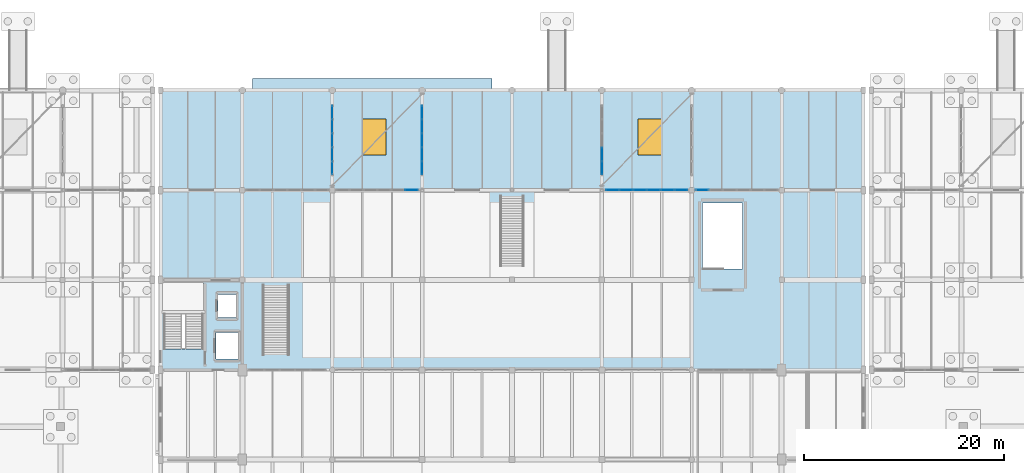
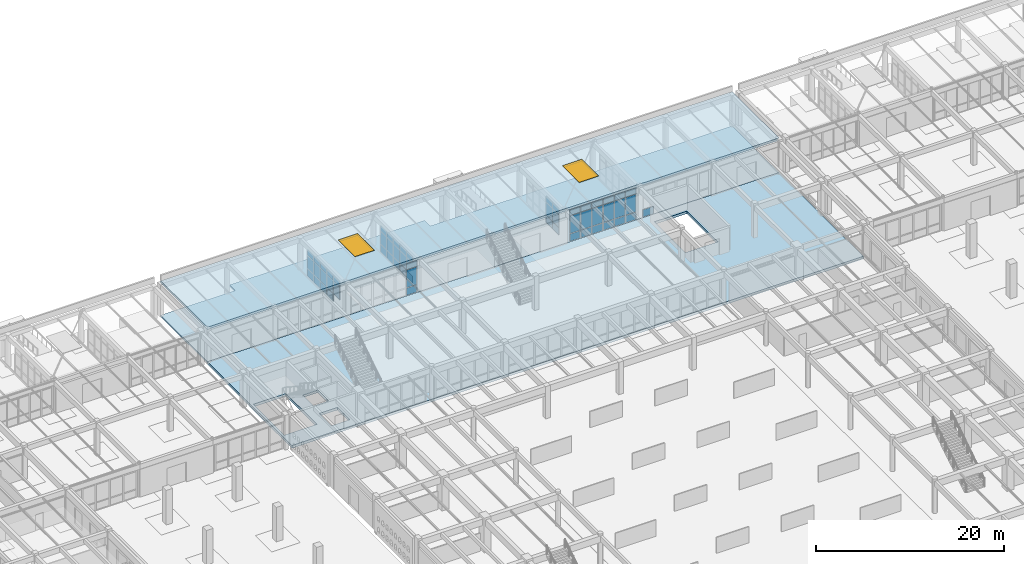
# One storey, part 149 of 186: 57 plates, 3 slabs, 2 windows, 2 openings, 6 elements without a shape of their own.
"""IFC4 building model written with IfcOpenShell, lengths in metres."""

from ifc_helpers import new_model, si_unit, direction, frame, origin, origin_2d, place, context, subcontext, project, spatial, polyline, rectangle, outline, extrude, material, layer, layer_set, type_object, element, fill, aggregate, save


model = new_model("IFC4")

# Units and contexts
model_context = context("Model", 3, precision=1e-05, world=origin(), true_north=direction((0.0, 1.0)))
body_context = subcontext(model_context, "Body", "Model", "MODEL_VIEW")
ifc_project = project(units=[si_unit("LENGTHUNIT", "METRE"), si_unit("AREAUNIT", "SQUARE_METRE"), si_unit("VOLUMEUNIT", "CUBIC_METRE"), si_unit("PLANEANGLEUNIT", "RADIAN"), si_unit("MASSUNIT", "GRAM", prefix="KILO")], contexts=[model_context])

# Site, building, storey
site_placement = place(None, origin())
site = spatial("IfcSite", under=ifc_project, at=site_placement, CompositionType="ELEMENT")
building_placement = place(site_placement, origin())
building = spatial("IfcBuilding", under=site, at=building_placement, Name="Ornek Quay Market", CompositionType="ELEMENT")
storey_placement = place(building_placement, origin())
storey = spatial("IfcBuildingStorey", under=building, at=storey_placement, Name="L00", CompositionType="ELEMENT", Elevation=0.0)

# Curtain wall, plates
ifc_material_1 = material(Name="Anodised bronze aluminium and triple low-e glass", Category="aluminium")
ifc_layer_1 = layer(ifc_material_1, 0.219970703125, Name="Anodised bronze aluminium and triple low-e glass", Category="aluminium")
ifc_layer_set_1 = layer_set([ifc_layer_1], Name="Anodised bronze aluminium and triple low-e glass")
curtain_wall_type = type_object("IfcCurtainWallType", Name="CW-PORCH-MOD1500", PredefinedType="USERDEFINED", material=ifc_layer_set_1)
curtain_wall_1_placement = place(storey_placement, origin())
curtain_wall_1 = element("IfcCurtainWall", 1, at=curtain_wall_1_placement, inside=storey, type_object=curtain_wall_type, Name="Curtain wall CW-151", ObjectType="CURTAIN WALL", PredefinedType="USERDEFINED")
ifc_material_2 = material(Name="Triple insulated low-e glass", Category="glass")
ifc_layer_2 = layer(ifc_material_2, 0.035888671875, Name="Triple insulated low-e glass", Category="glass")
ifc_layer_set_2 = layer_set([ifc_layer_2], Name="Triple insulated low-e glass")
plate_type_1 = type_object("IfcPlateType", Name="PL-CW-TRIPLE-36", PredefinedType="CURTAIN_PANEL", material=ifc_layer_set_2)
plate_1_placement = place(storey_placement, frame((72.0, 112.217529296875, 1.0849609375), z_axis=(0.0, 0.0, 1.0), x_axis=(0.0, 1.0, 0.0)))
plate_1 = element("IfcPlate", 2, at=plate_1_placement, type_object=plate_type_1, Name="CW-151 panel 1.2", PredefinedType="CURTAIN_PANEL", context=body_context, shape_type="SweptSolid", body=[
    extrude(rectangle(XDim=1.294921875, YDim=0.035888671875, at=origin_2d()), origin(), (0.0, 0.0, 1.0), 1.6298828125),
])
plate_2_placement = place(storey_placement, frame((72.0, 112.217529296875, 2.784912109375), z_axis=(0.0, 0.0, 1.0), x_axis=(0.0, 1.0, 0.0)))
plate_2 = element("IfcPlate", 3, at=plate_2_placement, type_object=plate_type_1, Name="CW-151 panel 1.3", PredefinedType="CURTAIN_PANEL", context=body_context, shape_type="SweptSolid", body=[
    extrude(rectangle(XDim=1.294921875, YDim=0.035888671875, at=origin_2d()), origin(), (0.0, 0.0, 1.0), 0.7451171875),
])
plate_3_placement = place(storey_placement, frame((72.0, 113.60009765625, 0.06982421875), z_axis=(0.0, 0.0, 1.0), x_axis=(0.0, 1.0, 0.0)))
plate_3 = element("IfcPlate", 4, at=plate_3_placement, type_object=plate_type_1, Name="CW-151 panel 2.1", PredefinedType="CURTAIN_PANEL", context=body_context, shape_type="SweptSolid", body=[
    extrude(rectangle(XDim=1.330078125, YDim=0.035888671875, at=origin_2d()), origin(), (0.0, 0.0, 1.0), 0.945068359375),
])
plate_4_placement = place(storey_placement, frame((72.0, 113.60009765625, 1.0849609375), z_axis=(0.0, 0.0, 1.0), x_axis=(0.0, 1.0, 0.0)))
plate_4 = element("IfcPlate", 5, at=plate_4_placement, type_object=plate_type_1, Name="CW-151 panel 2.2", PredefinedType="CURTAIN_PANEL", context=body_context, shape_type="SweptSolid", body=[
    extrude(rectangle(XDim=1.330078125, YDim=0.035888671875, at=origin_2d()), origin(), (0.0, 0.0, 1.0), 1.6298828125),
])
plate_5_placement = place(storey_placement, frame((72.0, 113.60009765625, 2.784912109375), z_axis=(0.0, 0.0, 1.0), x_axis=(0.0, 1.0, 0.0)))
plate_5 = element("IfcPlate", 6, at=plate_5_placement, type_object=plate_type_1, Name="CW-151 panel 2.3", PredefinedType="CURTAIN_PANEL", context=body_context, shape_type="SweptSolid", body=[
    extrude(rectangle(XDim=1.330078125, YDim=0.035888671875, at=origin_2d()), origin(), (0.0, 0.0, 1.0), 0.7451171875),
])
plate_6_placement = place(storey_placement, frame((72.0, 115.0, 0.06982421875), z_axis=(0.0, 0.0, 1.0), x_axis=(0.0, 1.0, 0.0)))
plate_6 = element("IfcPlate", 7, at=plate_6_placement, type_object=plate_type_1, Name="CW-151 panel 3.1", PredefinedType="CURTAIN_PANEL", context=body_context, shape_type="SweptSolid", body=[
    extrude(rectangle(XDim=1.330078125, YDim=0.035888671875, at=origin_2d()), origin(), (0.0, 0.0, 1.0), 0.945068359375),
])
plate_7_placement = place(storey_placement, frame((72.0, 115.0, 1.0849609375), z_axis=(0.0, 0.0, 1.0), x_axis=(0.0, 1.0, 0.0)))
plate_7 = element("IfcPlate", 8, at=plate_7_placement, type_object=plate_type_1, Name="CW-151 panel 3.2", PredefinedType="CURTAIN_PANEL", context=body_context, shape_type="SweptSolid", body=[
    extrude(rectangle(XDim=1.330078125, YDim=0.035888671875, at=origin_2d()), origin(), (0.0, 0.0, 1.0), 1.6298828125),
])
plate_8_placement = place(storey_placement, frame((72.0, 115.0, 2.784912109375), z_axis=(0.0, 0.0, 1.0), x_axis=(0.0, 1.0, 0.0)))
plate_8 = element("IfcPlate", 9, at=plate_8_placement, type_object=plate_type_1, Name="CW-151 panel 3.3", PredefinedType="CURTAIN_PANEL", context=body_context, shape_type="SweptSolid", body=[
    extrude(rectangle(XDim=1.330078125, YDim=0.035888671875, at=origin_2d()), origin(), (0.0, 0.0, 1.0), 0.7451171875),
])
plate_9_placement = place(storey_placement, frame((72.0, 116.39990234375, 0.06982421875), z_axis=(0.0, 0.0, 1.0), x_axis=(0.0, 1.0, 0.0)))
plate_9 = element("IfcPlate", 10, at=plate_9_placement, type_object=plate_type_1, Name="CW-151 panel 4.1", PredefinedType="CURTAIN_PANEL", context=body_context, shape_type="SweptSolid", body=[
    extrude(rectangle(XDim=1.330078125, YDim=0.035888671875, at=origin_2d()), origin(), (0.0, 0.0, 1.0), 0.945068359375),
])
plate_10_placement = place(storey_placement, frame((72.0, 116.39990234375, 1.0849609375), z_axis=(0.0, 0.0, 1.0), x_axis=(0.0, 1.0, 0.0)))
plate_10 = element("IfcPlate", 11, at=plate_10_placement, type_object=plate_type_1, Name="CW-151 panel 4.2", PredefinedType="CURTAIN_PANEL", context=body_context, shape_type="SweptSolid", body=[
    extrude(rectangle(XDim=1.330078125, YDim=0.035888671875, at=origin_2d()), origin(), (0.0, 0.0, 1.0), 1.6298828125),
])
plate_11_placement = place(storey_placement, frame((72.0, 116.39990234375, 2.784912109375), z_axis=(0.0, 0.0, 1.0), x_axis=(0.0, 1.0, 0.0)))
plate_11 = element("IfcPlate", 12, at=plate_11_placement, type_object=plate_type_1, Name="CW-151 panel 4.3", PredefinedType="CURTAIN_PANEL", context=body_context, shape_type="SweptSolid", body=[
    extrude(rectangle(XDim=1.330078125, YDim=0.035888671875, at=origin_2d()), origin(), (0.0, 0.0, 1.0), 0.7451171875),
])
plate_12_placement = place(storey_placement, frame((72.0, 117.782470703125, 0.06982421875), z_axis=(0.0, 0.0, 1.0), x_axis=(0.0, 1.0, 0.0)))
plate_12 = element("IfcPlate", 13, at=plate_12_placement, type_object=plate_type_1, Name="CW-151 panel 5.1", PredefinedType="CURTAIN_PANEL", context=body_context, shape_type="SweptSolid", body=[
    extrude(rectangle(XDim=1.294921875, YDim=0.035888671875, at=origin_2d()), origin(), (0.0, 0.0, 1.0), 0.945068359375),
])
plate_13_placement = place(storey_placement, frame((72.0, 117.782470703125, 1.0849609375), z_axis=(0.0, 0.0, 1.0), x_axis=(0.0, 1.0, 0.0)))
plate_13 = element("IfcPlate", 14, at=plate_13_placement, type_object=plate_type_1, Name="CW-151 panel 5.2", PredefinedType="CURTAIN_PANEL", context=body_context, shape_type="SweptSolid", body=[
    extrude(rectangle(XDim=1.294921875, YDim=0.035888671875, at=origin_2d()), origin(), (0.0, 0.0, 1.0), 1.6298828125),
])
plate_14_placement = place(storey_placement, frame((72.0, 117.782470703125, 2.784912109375), z_axis=(0.0, 0.0, 1.0), x_axis=(0.0, 1.0, 0.0)))
plate_14 = element("IfcPlate", 15, at=plate_14_placement, type_object=plate_type_1, Name="CW-151 panel 5.3", PredefinedType="CURTAIN_PANEL", context=body_context, shape_type="SweptSolid", body=[
    extrude(rectangle(XDim=1.294921875, YDim=0.035888671875, at=origin_2d()), origin(), (0.0, 0.0, 1.0), 0.7451171875),
])
aggregate(curtain_wall_1, [plate_1, plate_2, plate_3, plate_4, plate_5, plate_6, plate_7, plate_8, plate_9, plate_10, plate_11, plate_12, plate_13, plate_14])

curtain_wall_2_placement = place(storey_placement, origin())
curtain_wall_2 = element("IfcCurtainWall", 16, at=curtain_wall_2_placement, inside=storey, type_object=curtain_wall_type, Name="Curtain wall CW-152", ObjectType="CURTAIN WALL", PredefinedType="USERDEFINED")
plate_15_placement = place(storey_placement, frame((81.0, 112.217529296875, 0.06982421875), z_axis=(0.0, 0.0, 1.0), x_axis=(0.0, 1.0, 0.0)))
plate_15 = element("IfcPlate", 17, at=plate_15_placement, type_object=plate_type_1, Name="CW-152 panel 1.1", PredefinedType="CURTAIN_PANEL", context=body_context, shape_type="SweptSolid", body=[
    extrude(rectangle(XDim=1.294921875, YDim=0.035888671875, at=origin_2d()), origin(), (0.0, 0.0, 1.0), 0.945068359375),
])
plate_16_placement = place(storey_placement, frame((81.0, 112.217529296875, 1.0849609375), z_axis=(0.0, 0.0, 1.0), x_axis=(0.0, 1.0, 0.0)))
plate_16 = element("IfcPlate", 18, at=plate_16_placement, type_object=plate_type_1, Name="CW-152 panel 1.2", PredefinedType="CURTAIN_PANEL", context=body_context, shape_type="SweptSolid", body=[
    extrude(rectangle(XDim=1.294921875, YDim=0.035888671875, at=origin_2d()), origin(), (0.0, 0.0, 1.0), 1.6298828125),
])
plate_17_placement = place(storey_placement, frame((81.0, 112.217529296875, 2.784912109375), z_axis=(0.0, 0.0, 1.0), x_axis=(0.0, 1.0, 0.0)))
plate_17 = element("IfcPlate", 19, at=plate_17_placement, type_object=plate_type_1, Name="CW-152 panel 1.3", PredefinedType="CURTAIN_PANEL", context=body_context, shape_type="SweptSolid", body=[
    extrude(rectangle(XDim=1.294921875, YDim=0.035888671875, at=origin_2d()), origin(), (0.0, 0.0, 1.0), 0.7451171875),
])
plate_18_placement = place(storey_placement, frame((81.0, 113.60009765625, 0.06982421875), z_axis=(0.0, 0.0, 1.0), x_axis=(0.0, 1.0, 0.0)))
plate_18 = element("IfcPlate", 20, at=plate_18_placement, type_object=plate_type_1, Name="CW-152 panel 2.1", PredefinedType="CURTAIN_PANEL", context=body_context, shape_type="SweptSolid", body=[
    extrude(rectangle(XDim=1.330078125, YDim=0.035888671875, at=origin_2d()), origin(), (0.0, 0.0, 1.0), 0.945068359375),
])
plate_19_placement = place(storey_placement, frame((81.0, 113.60009765625, 1.0849609375), z_axis=(0.0, 0.0, 1.0), x_axis=(0.0, 1.0, 0.0)))
plate_19 = element("IfcPlate", 21, at=plate_19_placement, type_object=plate_type_1, Name="CW-152 panel 2.2", PredefinedType="CURTAIN_PANEL", context=body_context, shape_type="SweptSolid", body=[
    extrude(rectangle(XDim=1.330078125, YDim=0.035888671875, at=origin_2d()), origin(), (0.0, 0.0, 1.0), 1.6298828125),
])
plate_20_placement = place(storey_placement, frame((81.0, 113.60009765625, 2.784912109375), z_axis=(0.0, 0.0, 1.0), x_axis=(0.0, 1.0, 0.0)))
plate_20 = element("IfcPlate", 22, at=plate_20_placement, type_object=plate_type_1, Name="CW-152 panel 2.3", PredefinedType="CURTAIN_PANEL", context=body_context, shape_type="SweptSolid", body=[
    extrude(rectangle(XDim=1.330078125, YDim=0.035888671875, at=origin_2d()), origin(), (0.0, 0.0, 1.0), 0.7451171875),
])
plate_21_placement = place(storey_placement, frame((81.0, 115.0, 0.06982421875), z_axis=(0.0, 0.0, 1.0), x_axis=(0.0, 1.0, 0.0)))
plate_21 = element("IfcPlate", 23, at=plate_21_placement, type_object=plate_type_1, Name="CW-152 panel 3.1", PredefinedType="CURTAIN_PANEL", context=body_context, shape_type="SweptSolid", body=[
    extrude(rectangle(XDim=1.330078125, YDim=0.035888671875, at=origin_2d()), origin(), (0.0, 0.0, 1.0), 0.945068359375),
])
plate_22_placement = place(storey_placement, frame((81.0, 115.0, 1.0849609375), z_axis=(0.0, 0.0, 1.0), x_axis=(0.0, 1.0, 0.0)))
plate_22 = element("IfcPlate", 24, at=plate_22_placement, type_object=plate_type_1, Name="CW-152 panel 3.2", PredefinedType="CURTAIN_PANEL", context=body_context, shape_type="SweptSolid", body=[
    extrude(rectangle(XDim=1.330078125, YDim=0.035888671875, at=origin_2d()), origin(), (0.0, 0.0, 1.0), 1.6298828125),
])
plate_23_placement = place(storey_placement, frame((81.0, 115.0, 2.784912109375), z_axis=(0.0, 0.0, 1.0), x_axis=(0.0, 1.0, 0.0)))
plate_23 = element("IfcPlate", 25, at=plate_23_placement, type_object=plate_type_1, Name="CW-152 panel 3.3", PredefinedType="CURTAIN_PANEL", context=body_context, shape_type="SweptSolid", body=[
    extrude(rectangle(XDim=1.330078125, YDim=0.035888671875, at=origin_2d()), origin(), (0.0, 0.0, 1.0), 0.7451171875),
])
plate_24_placement = place(storey_placement, frame((81.0, 116.39990234375, 0.06982421875), z_axis=(0.0, 0.0, 1.0), x_axis=(0.0, 1.0, 0.0)))
plate_24 = element("IfcPlate", 26, at=plate_24_placement, type_object=plate_type_1, Name="CW-152 panel 4.1", PredefinedType="CURTAIN_PANEL", context=body_context, shape_type="SweptSolid", body=[
    extrude(rectangle(XDim=1.330078125, YDim=0.035888671875, at=origin_2d()), origin(), (0.0, 0.0, 1.0), 0.945068359375),
])
plate_25_placement = place(storey_placement, frame((81.0, 116.39990234375, 1.0849609375), z_axis=(0.0, 0.0, 1.0), x_axis=(0.0, 1.0, 0.0)))
plate_25 = element("IfcPlate", 27, at=plate_25_placement, type_object=plate_type_1, Name="CW-152 panel 4.2", PredefinedType="CURTAIN_PANEL", context=body_context, shape_type="SweptSolid", body=[
    extrude(rectangle(XDim=1.330078125, YDim=0.035888671875, at=origin_2d()), origin(), (0.0, 0.0, 1.0), 1.6298828125),
])
plate_26_placement = place(storey_placement, frame((81.0, 116.39990234375, 2.784912109375), z_axis=(0.0, 0.0, 1.0), x_axis=(0.0, 1.0, 0.0)))
plate_26 = element("IfcPlate", 28, at=plate_26_placement, type_object=plate_type_1, Name="CW-152 panel 4.3", PredefinedType="CURTAIN_PANEL", context=body_context, shape_type="SweptSolid", body=[
    extrude(rectangle(XDim=1.330078125, YDim=0.035888671875, at=origin_2d()), origin(), (0.0, 0.0, 1.0), 0.7451171875),
])
plate_27_placement = place(storey_placement, frame((81.0, 117.782470703125, 0.06982421875), z_axis=(0.0, 0.0, 1.0), x_axis=(0.0, 1.0, 0.0)))
plate_27 = element("IfcPlate", 29, at=plate_27_placement, type_object=plate_type_1, Name="CW-152 panel 5.1", PredefinedType="CURTAIN_PANEL", context=body_context, shape_type="SweptSolid", body=[
    extrude(rectangle(XDim=1.294921875, YDim=0.035888671875, at=origin_2d()), origin(), (0.0, 0.0, 1.0), 0.945068359375),
])
plate_28_placement = place(storey_placement, frame((81.0, 117.782470703125, 1.0849609375), z_axis=(0.0, 0.0, 1.0), x_axis=(0.0, 1.0, 0.0)))
plate_28 = element("IfcPlate", 30, at=plate_28_placement, type_object=plate_type_1, Name="CW-152 panel 5.2", PredefinedType="CURTAIN_PANEL", context=body_context, shape_type="SweptSolid", body=[
    extrude(rectangle(XDim=1.294921875, YDim=0.035888671875, at=origin_2d()), origin(), (0.0, 0.0, 1.0), 1.6298828125),
])
plate_29_placement = place(storey_placement, frame((81.0, 117.782470703125, 2.784912109375), z_axis=(0.0, 0.0, 1.0), x_axis=(0.0, 1.0, 0.0)))
plate_29 = element("IfcPlate", 31, at=plate_29_placement, type_object=plate_type_1, Name="CW-152 panel 5.3", PredefinedType="CURTAIN_PANEL", context=body_context, shape_type="SweptSolid", body=[
    extrude(rectangle(XDim=1.294921875, YDim=0.035888671875, at=origin_2d()), origin(), (0.0, 0.0, 1.0), 0.7451171875),
])
aggregate(curtain_wall_2, [plate_15, plate_16, plate_17, plate_18, plate_19, plate_20, plate_21, plate_22, plate_23, plate_24, plate_25, plate_26, plate_27, plate_28, plate_29])

curtain_wall_3_placement = place(storey_placement, origin())
curtain_wall_3 = element("IfcCurtainWall", 32, at=curtain_wall_3_placement, inside=storey, type_object=curtain_wall_type, Name="Curtain wall CW-153", ObjectType="CURTAIN WALL", PredefinedType="USERDEFINED")
plate_30_placement = place(storey_placement, frame((99.0, 112.217529296875, 0.06982421875), z_axis=(0.0, 0.0, 1.0), x_axis=(0.0, 1.0, 0.0)))
plate_30 = element("IfcPlate", 33, at=plate_30_placement, type_object=plate_type_1, Name="CW-153 panel 1.1", PredefinedType="CURTAIN_PANEL", context=body_context, shape_type="SweptSolid", body=[
    extrude(rectangle(XDim=1.294921875, YDim=0.035888671875, at=origin_2d()), origin(), (0.0, 0.0, 1.0), 0.945068359375),
])
plate_31_placement = place(storey_placement, frame((99.0, 112.217529296875, 1.0849609375), z_axis=(0.0, 0.0, 1.0), x_axis=(0.0, 1.0, 0.0)))
plate_31 = element("IfcPlate", 34, at=plate_31_placement, type_object=plate_type_1, Name="CW-153 panel 1.2", PredefinedType="CURTAIN_PANEL", context=body_context, shape_type="SweptSolid", body=[
    extrude(rectangle(XDim=1.294921875, YDim=0.035888671875, at=origin_2d()), origin(), (0.0, 0.0, 1.0), 1.6298828125),
])
plate_32_placement = place(storey_placement, frame((99.0, 112.217529296875, 2.784912109375), z_axis=(0.0, 0.0, 1.0), x_axis=(0.0, 1.0, 0.0)))
plate_32 = element("IfcPlate", 35, at=plate_32_placement, type_object=plate_type_1, Name="CW-153 panel 1.3", PredefinedType="CURTAIN_PANEL", context=body_context, shape_type="SweptSolid", body=[
    extrude(rectangle(XDim=1.294921875, YDim=0.035888671875, at=origin_2d()), origin(), (0.0, 0.0, 1.0), 0.7451171875),
])
plate_33_placement = place(storey_placement, frame((99.0, 113.60009765625, 0.06982421875), z_axis=(0.0, 0.0, 1.0), x_axis=(0.0, 1.0, 0.0)))
plate_33 = element("IfcPlate", 36, at=plate_33_placement, type_object=plate_type_1, Name="CW-153 panel 2.1", PredefinedType="CURTAIN_PANEL", context=body_context, shape_type="SweptSolid", body=[
    extrude(rectangle(XDim=1.330078125, YDim=0.035888671875, at=origin_2d()), origin(), (0.0, 0.0, 1.0), 0.945068359375),
])
plate_34_placement = place(storey_placement, frame((99.0, 113.60009765625, 1.0849609375), z_axis=(0.0, 0.0, 1.0), x_axis=(0.0, 1.0, 0.0)))
plate_34 = element("IfcPlate", 37, at=plate_34_placement, type_object=plate_type_1, Name="CW-153 panel 2.2", PredefinedType="CURTAIN_PANEL", context=body_context, shape_type="SweptSolid", body=[
    extrude(rectangle(XDim=1.330078125, YDim=0.035888671875, at=origin_2d()), origin(), (0.0, 0.0, 1.0), 1.6298828125),
])
plate_35_placement = place(storey_placement, frame((99.0, 113.60009765625, 2.784912109375), z_axis=(0.0, 0.0, 1.0), x_axis=(0.0, 1.0, 0.0)))
plate_35 = element("IfcPlate", 38, at=plate_35_placement, type_object=plate_type_1, Name="CW-153 panel 2.3", PredefinedType="CURTAIN_PANEL", context=body_context, shape_type="SweptSolid", body=[
    extrude(rectangle(XDim=1.330078125, YDim=0.035888671875, at=origin_2d()), origin(), (0.0, 0.0, 1.0), 0.7451171875),
])
aggregate(curtain_wall_3, [plate_30, plate_31, plate_32, plate_33, plate_34, plate_35])

curtain_wall_4_placement = place(storey_placement, origin())
curtain_wall_4 = element("IfcCurtainWall", 39, at=curtain_wall_4_placement, inside=storey, type_object=curtain_wall_type, Name="Curtain wall CW-046", ObjectType="CURTAIN WALL", PredefinedType="USERDEFINED")
ifc_layer_3 = layer(ifc_material_2, 0.0419921875, Name="Triple insulated low-e glass", Category="glass")
ifc_layer_set_3 = layer_set([ifc_layer_3], Name="Triple insulated low-e glass")
plate_type_2 = type_object("IfcPlateType", Name="PL-CW-TRIPLE-42", PredefinedType="CURTAIN_PANEL", material=ifc_layer_set_3)
plate_36_placement = place(storey_placement, frame((79.939697265625, 110.0, 0.06982421875), z_axis=(0.0, 0.0, 1.0), x_axis=(1.0, 0.0, 0.0)))
plate_36 = element("IfcPlate", 40, at=plate_36_placement, type_object=plate_type_2, Name="CW-046 panel 6.1", PredefinedType="CURTAIN_PANEL", context=body_context, shape_type="SweptSolid", body=[
    extrude(rectangle(XDim=1.270751953125, YDim=0.0419921875, at=origin_2d()), origin(), (0.0, 0.0, 1.0), 0.945068359375),
])
plate_37_placement = place(storey_placement, frame((79.939697265625, 110.0, 1.0849609375), z_axis=(0.0, 0.0, 1.0), x_axis=(1.0, 0.0, 0.0)))
plate_37 = element("IfcPlate", 41, at=plate_37_placement, type_object=plate_type_2, Name="CW-046 panel 6.2", PredefinedType="CURTAIN_PANEL", context=body_context, shape_type="SweptSolid", body=[
    extrude(rectangle(XDim=1.270751953125, YDim=0.0419921875, at=origin_2d()), origin(), (0.0, 0.0, 1.0), 2.27001953125),
])
plate_38_placement = place(storey_placement, frame((79.939697265625, 110.0, 3.425048828125), z_axis=(0.0, 0.0, 1.0), x_axis=(1.0, 0.0, 0.0)))
plate_38 = element("IfcPlate", 42, at=plate_38_placement, type_object=plate_type_2, Name="CW-046 panel 6.3", PredefinedType="CURTAIN_PANEL", context=body_context, shape_type="SweptSolid", body=[
    extrude(rectangle(XDim=1.270751953125, YDim=0.0419921875, at=origin_2d()), origin(), (0.0, 0.0, 1.0), 0.7451171875),
])
aggregate(curtain_wall_4, [plate_36, plate_37, plate_38])

curtain_wall_5_placement = place(storey_placement, origin())
curtain_wall_5 = element("IfcCurtainWall", 43, at=curtain_wall_5_placement, inside=storey, type_object=curtain_wall_type, Name="Curtain wall CW-047", ObjectType="CURTAIN WALL", PredefinedType="USERDEFINED")
plate_39_placement = place(storey_placement, frame((100.060302734375, 110.0, 0.06982421875), z_axis=(0.0, 0.0, 1.0), x_axis=(1.0, 0.0, 0.0)))
plate_39 = element("IfcPlate", 44, at=plate_39_placement, type_object=plate_type_2, Name="CW-047 panel 1.1", PredefinedType="CURTAIN_PANEL", context=body_context, shape_type="SweptSolid", body=[
    extrude(rectangle(XDim=1.270751953125, YDim=0.0419921875, at=origin_2d()), origin(), (0.0, 0.0, 1.0), 0.945068359375),
])
plate_40_placement = place(storey_placement, frame((100.060302734375, 110.0, 1.0849609375), z_axis=(0.0, 0.0, 1.0), x_axis=(1.0, 0.0, 0.0)))
plate_40 = element("IfcPlate", 45, at=plate_40_placement, type_object=plate_type_2, Name="CW-047 panel 1.2", PredefinedType="CURTAIN_PANEL", context=body_context, shape_type="SweptSolid", body=[
    extrude(rectangle(XDim=1.270751953125, YDim=0.0419921875, at=origin_2d()), origin(), (0.0, 0.0, 1.0), 2.27001953125),
])
plate_41_placement = place(storey_placement, frame((100.060302734375, 110.0, 3.425048828125), z_axis=(0.0, 0.0, 1.0), x_axis=(1.0, 0.0, 0.0)))
plate_41 = element("IfcPlate", 46, at=plate_41_placement, type_object=plate_type_2, Name="CW-047 panel 1.3", PredefinedType="CURTAIN_PANEL", context=body_context, shape_type="SweptSolid", body=[
    extrude(rectangle(XDim=1.270751953125, YDim=0.0419921875, at=origin_2d()), origin(), (0.0, 0.0, 1.0), 0.7451171875),
])
plate_42_placement = place(storey_placement, frame((101.425048828125, 110.0, 0.06982421875), z_axis=(0.0, 0.0, 1.0), x_axis=(1.0, 0.0, 0.0)))
plate_42 = element("IfcPlate", 47, at=plate_42_placement, type_object=plate_type_2, Name="CW-047 panel 2.1", PredefinedType="CURTAIN_PANEL", context=body_context, shape_type="SweptSolid", body=[
    extrude(rectangle(XDim=1.308349609375, YDim=0.0419921875, at=origin_2d()), origin(), (0.0, 0.0, 1.0), 0.945068359375),
])
plate_43_placement = place(storey_placement, frame((101.425048828125, 110.0, 1.0849609375), z_axis=(0.0, 0.0, 1.0), x_axis=(1.0, 0.0, 0.0)))
plate_43 = element("IfcPlate", 48, at=plate_43_placement, type_object=plate_type_2, Name="CW-047 panel 2.2", PredefinedType="CURTAIN_PANEL", context=body_context, shape_type="SweptSolid", body=[
    extrude(rectangle(XDim=1.308349609375, YDim=0.0419921875, at=origin_2d()), origin(), (0.0, 0.0, 1.0), 2.27001953125),
])
plate_44_placement = place(storey_placement, frame((101.425048828125, 110.0, 3.425048828125), z_axis=(0.0, 0.0, 1.0), x_axis=(1.0, 0.0, 0.0)))
plate_44 = element("IfcPlate", 49, at=plate_44_placement, type_object=plate_type_2, Name="CW-047 panel 2.3", PredefinedType="CURTAIN_PANEL", context=body_context, shape_type="SweptSolid", body=[
    extrude(rectangle(XDim=1.308349609375, YDim=0.0419921875, at=origin_2d()), origin(), (0.0, 0.0, 1.0), 0.7451171875),
])
plate_45_placement = place(storey_placement, frame((102.808349609375, 110.0, 0.06982421875), z_axis=(0.0, 0.0, 1.0), x_axis=(1.0, 0.0, 0.0)))
plate_45 = element("IfcPlate", 50, at=plate_45_placement, type_object=plate_type_2, Name="CW-047 panel 3.1", PredefinedType="CURTAIN_PANEL", context=body_context, shape_type="SweptSolid", body=[
    extrude(rectangle(XDim=1.308349609375, YDim=0.0419921875, at=origin_2d()), origin(), (0.0, 0.0, 1.0), 0.945068359375),
])
plate_46_placement = place(storey_placement, frame((102.808349609375, 110.0, 1.0849609375), z_axis=(0.0, 0.0, 1.0), x_axis=(1.0, 0.0, 0.0)))
plate_46 = element("IfcPlate", 51, at=plate_46_placement, type_object=plate_type_2, Name="CW-047 panel 3.2", PredefinedType="CURTAIN_PANEL", context=body_context, shape_type="SweptSolid", body=[
    extrude(rectangle(XDim=1.308349609375, YDim=0.0419921875, at=origin_2d()), origin(), (0.0, 0.0, 1.0), 2.27001953125),
])
plate_47_placement = place(storey_placement, frame((102.808349609375, 110.0, 3.425048828125), z_axis=(0.0, 0.0, 1.0), x_axis=(1.0, 0.0, 0.0)))
plate_47 = element("IfcPlate", 52, at=plate_47_placement, type_object=plate_type_2, Name="CW-047 panel 3.3", PredefinedType="CURTAIN_PANEL", context=body_context, shape_type="SweptSolid", body=[
    extrude(rectangle(XDim=1.308349609375, YDim=0.0419921875, at=origin_2d()), origin(), (0.0, 0.0, 1.0), 0.7451171875),
])
plate_48_placement = place(storey_placement, frame((104.191650390625, 110.0, 0.06982421875), z_axis=(0.0, 0.0, 1.0), x_axis=(1.0, 0.0, 0.0)))
plate_48 = element("IfcPlate", 53, at=plate_48_placement, type_object=plate_type_2, Name="CW-047 panel 4.1", PredefinedType="CURTAIN_PANEL", context=body_context, shape_type="SweptSolid", body=[
    extrude(rectangle(XDim=1.308349609375, YDim=0.0419921875, at=origin_2d()), origin(), (0.0, 0.0, 1.0), 0.945068359375),
])
plate_49_placement = place(storey_placement, frame((104.191650390625, 110.0, 1.0849609375), z_axis=(0.0, 0.0, 1.0), x_axis=(1.0, 0.0, 0.0)))
plate_49 = element("IfcPlate", 54, at=plate_49_placement, type_object=plate_type_2, Name="CW-047 panel 4.2", PredefinedType="CURTAIN_PANEL", context=body_context, shape_type="SweptSolid", body=[
    extrude(rectangle(XDim=1.308349609375, YDim=0.0419921875, at=origin_2d()), origin(), (0.0, 0.0, 1.0), 2.27001953125),
])
plate_50_placement = place(storey_placement, frame((104.191650390625, 110.0, 3.425048828125), z_axis=(0.0, 0.0, 1.0), x_axis=(1.0, 0.0, 0.0)))
plate_50 = element("IfcPlate", 55, at=plate_50_placement, type_object=plate_type_2, Name="CW-047 panel 4.3", PredefinedType="CURTAIN_PANEL", context=body_context, shape_type="SweptSolid", body=[
    extrude(rectangle(XDim=1.308349609375, YDim=0.0419921875, at=origin_2d()), origin(), (0.0, 0.0, 1.0), 0.7451171875),
])
plate_51_placement = place(storey_placement, frame((105.574951171875, 110.0, 0.06982421875), z_axis=(0.0, 0.0, 1.0), x_axis=(1.0, 0.0, 0.0)))
plate_51 = element("IfcPlate", 56, at=plate_51_placement, type_object=plate_type_2, Name="CW-047 panel 5.1", PredefinedType="CURTAIN_PANEL", context=body_context, shape_type="SweptSolid", body=[
    extrude(rectangle(XDim=1.308349609375, YDim=0.0419921875, at=origin_2d()), origin(), (0.0, 0.0, 1.0), 0.945068359375),
])
plate_52_placement = place(storey_placement, frame((105.574951171875, 110.0, 1.0849609375), z_axis=(0.0, 0.0, 1.0), x_axis=(1.0, 0.0, 0.0)))
plate_52 = element("IfcPlate", 57, at=plate_52_placement, type_object=plate_type_2, Name="CW-047 panel 5.2", PredefinedType="CURTAIN_PANEL", context=body_context, shape_type="SweptSolid", body=[
    extrude(rectangle(XDim=1.308349609375, YDim=0.0419921875, at=origin_2d()), origin(), (0.0, 0.0, 1.0), 2.27001953125),
])
plate_53_placement = place(storey_placement, frame((105.574951171875, 110.0, 3.425048828125), z_axis=(0.0, 0.0, 1.0), x_axis=(1.0, 0.0, 0.0)))
plate_53 = element("IfcPlate", 58, at=plate_53_placement, type_object=plate_type_2, Name="CW-047 panel 5.3", PredefinedType="CURTAIN_PANEL", context=body_context, shape_type="SweptSolid", body=[
    extrude(rectangle(XDim=1.308349609375, YDim=0.0419921875, at=origin_2d()), origin(), (0.0, 0.0, 1.0), 0.7451171875),
])
plate_54_placement = place(storey_placement, frame((106.939697265625, 110.0, 0.06982421875), z_axis=(0.0, 0.0, 1.0), x_axis=(1.0, 0.0, 0.0)))
plate_54 = element("IfcPlate", 59, at=plate_54_placement, type_object=plate_type_2, Name="CW-047 panel 6.1", PredefinedType="CURTAIN_PANEL", context=body_context, shape_type="SweptSolid", body=[
    extrude(rectangle(XDim=1.270751953125, YDim=0.0419921875, at=origin_2d()), origin(), (0.0, 0.0, 1.0), 0.945068359375),
])
plate_55_placement = place(storey_placement, frame((106.939697265625, 110.0, 1.0849609375), z_axis=(0.0, 0.0, 1.0), x_axis=(1.0, 0.0, 0.0)))
plate_55 = element("IfcPlate", 60, at=plate_55_placement, type_object=plate_type_2, Name="CW-047 panel 6.2", PredefinedType="CURTAIN_PANEL", context=body_context, shape_type="SweptSolid", body=[
    extrude(rectangle(XDim=1.270751953125, YDim=0.0419921875, at=origin_2d()), origin(), (0.0, 0.0, 1.0), 2.27001953125),
])
plate_56_placement = place(storey_placement, frame((106.939697265625, 110.0, 3.425048828125), z_axis=(0.0, 0.0, 1.0), x_axis=(1.0, 0.0, 0.0)))
plate_56 = element("IfcPlate", 61, at=plate_56_placement, type_object=plate_type_2, Name="CW-047 panel 6.3", PredefinedType="CURTAIN_PANEL", context=body_context, shape_type="SweptSolid", body=[
    extrude(rectangle(XDim=1.270751953125, YDim=0.0419921875, at=origin_2d()), origin(), (0.0, 0.0, 1.0), 0.7451171875),
])
aggregate(curtain_wall_5, [plate_39, plate_40, plate_41, plate_42, plate_43, plate_44, plate_45, plate_46, plate_47, plate_48, plate_49, plate_50, plate_51, plate_52, plate_53, plate_54, plate_55, plate_56])

# Curtain wall, plate
curtain_wall_6_placement = place(storey_placement, origin())
curtain_wall_6 = element("IfcCurtainWall", 62, at=curtain_wall_6_placement, inside=storey, type_object=curtain_wall_type, Name="Curtain wall CW-048", ObjectType="CURTAIN WALL", PredefinedType="USERDEFINED")
plate_57_placement = place(storey_placement, frame((109.060302734375, 110.0, 0.06982421875), z_axis=(0.0, 0.0, 1.0), x_axis=(1.0, 0.0, 0.0)))
plate_57 = element("IfcPlate", 63, at=plate_57_placement, type_object=plate_type_2, Name="CW-048 panel 1.1", PredefinedType="CURTAIN_PANEL", context=body_context, shape_type="SweptSolid", body=[
    extrude(rectangle(XDim=1.270751953125, YDim=0.0419921875, at=origin_2d()), origin(), (0.0, 0.0, 1.0), 0.945068359375),
])
aggregate(curtain_wall_6, [plate_57])

# Slabs
ifc_material_3 = material(Name="Concrete C40/50", Category="concrete")
ifc_layer_4 = layer(ifc_material_3, 0.199951171875, Name="Concrete C40/50", Category="concrete")
ifc_layer_set_4 = layer_set([ifc_layer_4], Name="Concrete C40/50")
slab_type_1 = type_object("IfcSlabType", Name="SL-EXT-QUAY-200", PredefinedType="FLOOR", material=ifc_layer_set_4)
slab_1_placement = place(storey_placement, frame((0.0, 0.0, -0.199951171875)))
element("IfcSlab", 64, at=slab_1_placement, inside=storey, type_object=slab_type_1, Name="Slab S-015 (L00)", PredefinedType="FLOOR", context=body_context, shape_type="SweptSolid", body=[
    extrude(outline(polyline([(54.800048828125, 110.0), (125.199951171875, 110.0), (125.199951171875, 120.0), (88.0, 120.0), (88.0, 121.199951171875), (64.0, 121.199951171875), (64.0, 120.0), (54.800048828125, 120.0), (54.800048828125, 110.0)])), origin(), (0.0, 0.0, 1.0), 0.199951171875),
])
ifc_layer_5 = layer(ifc_material_3, 0.340087890625, Name="Concrete C40/50", Category="concrete")
ifc_layer_set_5 = layer_set([ifc_layer_5], Name="Concrete C40/50")
slab_type_2 = type_object("IfcSlabType", Name="SL-FLR-HALL-340", PredefinedType="FLOOR", material=ifc_layer_set_5)
slab_2_placement = place(storey_placement, frame((0.0, 0.0, -0.340087890625)))
element("IfcSlab", 65, at=slab_2_placement, inside=storey, type_object=slab_type_2, Name="Slab S-014 (L00)", PredefinedType="FLOOR", context=body_context, shape_type="SweptSolid", body=[
    extrude(outline(polyline([(54.800048828125, 92.0), (125.199951171875, 92.0), (125.199951171875, 110.0), (54.800048828125, 110.0), (54.800048828125, 92.0)]), holes=[polyline([(62.570068359375, 93.080078125), (60.330078125, 93.080078125), (60.330078125, 95.719970703125), (62.570068359375, 95.719970703125), (62.570068359375, 93.080078125)]), polyline([(59.10009765625, 94.10009765625), (55.10009765625, 94.10009765625), (55.10009765625, 100.699951171875), (59.10009765625, 100.699951171875), (59.10009765625, 94.10009765625)]), polyline([(62.3701171875, 97.22998046875), (60.530029296875, 97.22998046875), (60.530029296875, 99.570068359375), (62.3701171875, 99.570068359375), (62.3701171875, 97.22998046875)]), polyline([(113.10009765625, 102.10009765625), (109.10009765625, 102.10009765625), (109.10009765625, 108.699951171875), (113.10009765625, 108.699951171875), (113.10009765625, 102.10009765625)])]), origin(), (0.0, 0.0, 1.0), 0.340087890625),
])

# Slab, openings, windows
ifc_material_4 = material(Name="Concrete C35/45", Category="concrete")
ifc_layer_6 = layer(ifc_material_4, 0.31005859375, Name="Concrete C35/45", Category="concrete")
ifc_layer_set_6 = layer_set([ifc_layer_6], Name="Concrete C35/45")
slab_type_3 = type_object("IfcSlabType", Name="SL-RF-WING-310", PredefinedType="ROOF", material=ifc_layer_set_6)
slab_3_placement = place(storey_placement, frame((0.0, 0.0, 4.18994140625)))
slab_3 = element("IfcSlab", 66, at=slab_3_placement, inside=storey, type_object=slab_type_3, Name="Slab S-029 (L00)", PredefinedType="ROOF", context=body_context, shape_type="SweptSolid", body=[
    extrude(outline(polyline([(54.800048828125, 110.0), (125.199951171875, 110.0), (125.199951171875, 120.0), (54.800048828125, 120.0), (54.800048828125, 110.0)]), holes=[polyline([(77.39990234375, 117.10009765625), (77.39990234375, 113.5), (75.0, 113.5), (75.0, 117.10009765625), (77.39990234375, 117.10009765625)]), polyline([(105.0, 117.10009765625), (105.0, 113.5), (102.60009765625, 113.5), (102.60009765625, 117.10009765625), (105.0, 117.10009765625)])]), origin(), (0.0, 0.0, 1.0), 0.31005859375),
])
opening_1_placement = place(slab_3_placement, frame((76.199951171875, 115.300048828125, -0.010009765625)))
opening_1 = element("IfcOpeningElement", 67, at=opening_1_placement, cuts=slab_3, Name="Opening SK-01-03", PredefinedType="OPENING", context=body_context, shape_type="SweptSolid", body=[
    extrude(rectangle(XDim=2.39990234375, YDim=3.60009765625, at=origin_2d()), origin(), (0.0, 0.0, 1.0), 0.330078125),
])
opening_2_placement = place(slab_3_placement, frame((103.800048828125, 115.300048828125, -0.010009765625)))
opening_2 = element("IfcOpeningElement", 68, at=opening_2_placement, cuts=slab_3, Name="Opening SK-01-04", PredefinedType="OPENING", context=body_context, shape_type="SweptSolid", body=[
    extrude(rectangle(XDim=2.39990234375, YDim=3.60009765625, at=origin_2d()), origin(), (0.0, 0.0, 1.0), 0.330078125),
])
ifc_material_5 = material(Name="Thermally broken bronze aluminium and triple low-e glass", Category="aluminium")
window_type = type_object("IfcWindowType", Name="WN-SKY-2400x3600", PartitioningType="SINGLE_PANEL", PredefinedType="SKYLIGHT", material=ifc_material_5)
window_1_placement = place(opening_1_placement, frame((0.0, 0.0, 0.27001953125)))
window_1 = element("IfcWindow", 69, at=window_1_placement, inside=storey, type_object=window_type, Name="Roof skylight SK-01-03", OverallHeight=3.60009765625, OverallWidth=2.39990234375, PartitioningType="SINGLE_PANEL", PredefinedType="SKYLIGHT", context=body_context, shape_type="SweptSolid", body=[
    extrude(rectangle(XDim=2.39990234375, YDim=3.60009765625, at=origin_2d()), origin(), (0.0, 0.0, 1.0), 0.050048828125),
])
fill(opening_1, window_1)
window_2_placement = place(opening_2_placement, frame((0.0, 0.0, 0.27001953125)))
window_2 = element("IfcWindow", 70, at=window_2_placement, inside=storey, type_object=window_type, Name="Roof skylight SK-01-04", OverallHeight=3.60009765625, OverallWidth=2.39990234375, PartitioningType="SINGLE_PANEL", PredefinedType="SKYLIGHT", context=body_context, shape_type="SweptSolid", body=[
    extrude(rectangle(XDim=2.39990234375, YDim=3.60009765625, at=origin_2d()), origin(), (0.0, 0.0, 1.0), 0.050048828125),
])
fill(opening_2, window_2)

save(model, "model.ifc")
